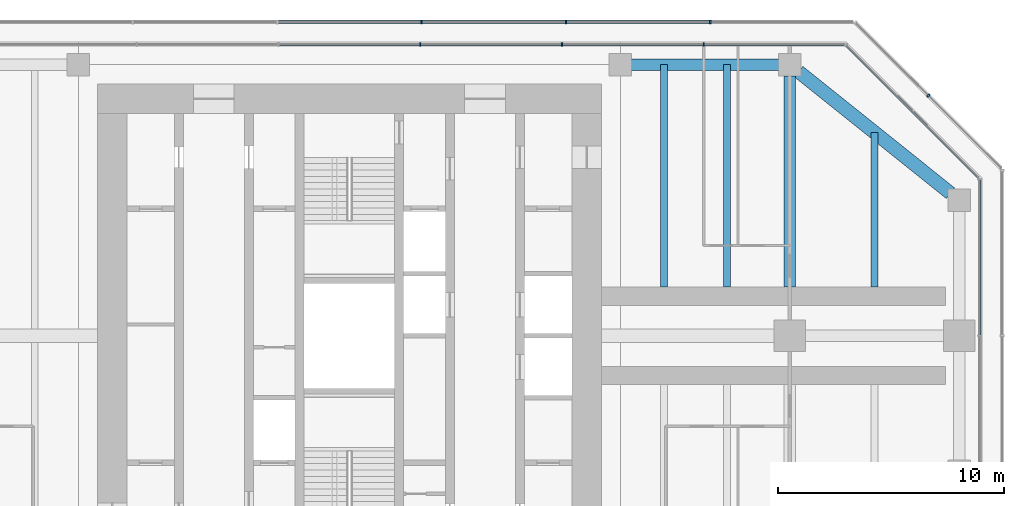
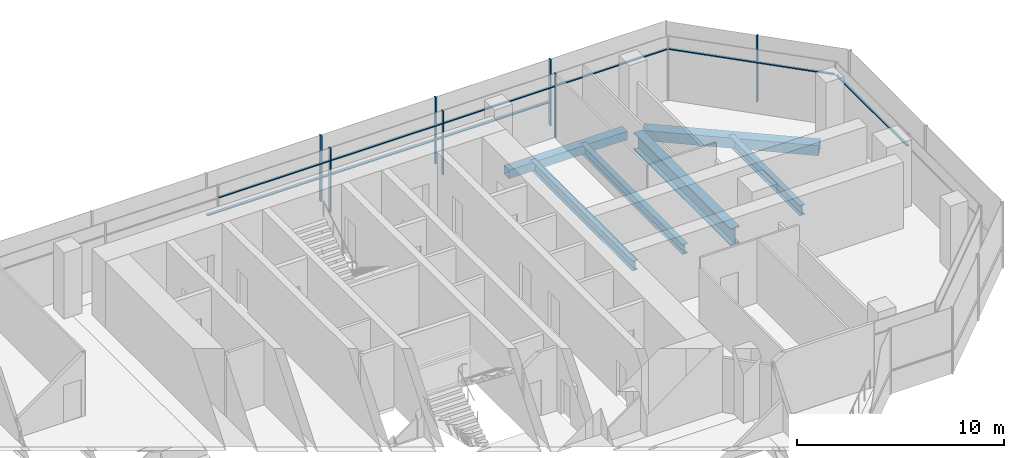
# One storey, part 7 of 16: 16 members, 6 beams, 5 elements without a shape of their own.
"""IFC4 building model written with IfcOpenShell, lengths in metres."""

from ifc_helpers import new_model, si_unit, direction, frame, origin, origin_2d, place, context, subcontext, project, spatial, rectangle, hollow_rectangle, i_section, extrude, material, material_profile, profile_set, type_object, element, aggregate, save


model = new_model("IFC4")

# Units and contexts
model_context = context("Model", 3, precision=1e-05, world=origin(), true_north=direction((0.0, 1.0)))
body_context = subcontext(model_context, "Body", "Model", "MODEL_VIEW")
ifc_project = project(units=[si_unit("LENGTHUNIT", "METRE"), si_unit("AREAUNIT", "SQUARE_METRE"), si_unit("VOLUMEUNIT", "CUBIC_METRE"), si_unit("PLANEANGLEUNIT", "RADIAN"), si_unit("MASSUNIT", "GRAM", prefix="KILO")], contexts=[model_context])

# Site, building, storey
site_placement = place(None, origin())
site = spatial("IfcSite", under=ifc_project, at=site_placement, CompositionType="ELEMENT")
building_placement = place(site_placement, origin())
building = spatial("IfcBuilding", under=site, at=building_placement, Name="Mizan Broadcast Tower", CompositionType="ELEMENT")
storey_placement = place(building_placement, frame((0.0, 0.0, 294.60009765625)))
storey = spatial("IfcBuildingStorey", under=building, at=storey_placement, Name="L70", CompositionType="ELEMENT", Elevation=294.60009765625)

# Beams
ifc_material_1 = material(Name="Steel S355", Category="steel")
ifc_material_profile_1 = material_profile(ifc_material_1, hollow_rectangle(XDim=0.5, YDim=0.5, WallThickness=0.030029296875, at=origin_2d()), Name="BOX 500x500x30")
ifc_profile_set_1 = profile_set([ifc_material_profile_1], Name="Steel S355")
beam_type_1 = type_object("IfcBeamType", Name="EDGE BEAM BOX 500x500x30", PredefinedType="SPANDREL", material=ifc_profile_set_1)
beam_1_placement = place(storey_placement, frame((12.449951171875, 12.0, -0.380126953125), z_axis=(1.0, 0.0, 0.0), x_axis=(0.0, 1.0, 0.0)))
element("IfcBeam", 1, at=beam_1_placement, inside=storey, type_object=beam_type_1, Name="Edge beam BOX 500x500x30 L70 east arm", PredefinedType="SPANDREL", context=body_context, shape_type="SweptSolid", body=[
    extrude(hollow_rectangle(XDim=0.5, YDim=0.5, WallThickness=0.030029296875, at=origin_2d()), origin(), (0.0, 0.0, 1.0), 6.60009765625),
])
ifc_material_2 = material(Name="Steel S355", Category="steel")
ifc_material_profile_2 = material_profile(ifc_material_2, hollow_rectangle(XDim=0.60009765625, YDim=0.60009765625, WallThickness=0.030029296875, at=origin_2d()), Name="BOX 600x600x30")
ifc_profile_set_2 = profile_set([ifc_material_profile_2], Name="Steel S355")
beam_type_2 = type_object("IfcBeamType", Name="EDGE BEAM BOX 600x600x30", PredefinedType="SPANDREL", material=ifc_profile_set_2)
beam_2_placement = place(storey_placement, frame((19.890380859375, 11.687744140625, -0.43017578125), z_axis=(0.780863273348, -0.62470196761, 0.0), x_axis=(0.62470196761, 0.780863273348, 0.0)))
element("IfcBeam", 2, at=beam_2_placement, inside=storey, type_object=beam_type_2, Name="Edge beam BOX 600x600x30 L70 east arm", PredefinedType="SPANDREL", context=body_context, shape_type="SweptSolid", body=[
    extrude(hollow_rectangle(XDim=0.60009765625, YDim=0.60009765625, WallThickness=0.030029296875, at=origin_2d()), origin(), (0.0, 0.0, 1.0), 8.60498046875),
])
ifc_material_3 = material(Name="Steel S460", Category="steel")
ifc_material_profile_3 = material_profile(ifc_material_3, i_section(OverallWidth=0.5, OverallDepth=1.0, WebThickness=0.02490234375, FlangeThickness=0.050048828125, at=origin_2d()), Name="WPG 1000x500")
ifc_profile_set_3 = profile_set([ifc_material_profile_3], Name="Steel S460")
beam_type_3 = type_object("IfcBeamType", Name="GIRDER WPG 1000x500", PredefinedType="BEAM", material=ifc_profile_set_3)
beam_3_placement = place(storey_placement, frame((19.5, 11.5, -0.630126953125), z_axis=(0.0, -1.0, 0.0), x_axis=(1.0, 0.0, 0.0)))
element("IfcBeam", 3, at=beam_3_placement, inside=storey, type_object=beam_type_3, Name="Girder WPG 1000x500 L70 east arm", PredefinedType="BEAM", context=body_context, shape_type="SweptSolid", body=[
    extrude(i_section(OverallWidth=0.5, OverallDepth=1.0, WebThickness=0.02490234375, FlangeThickness=0.050048828125, at=origin_2d()), origin(), (0.0, 0.0, 1.0), 9.35009765625),
])

# Curtain wall, members
ifc_material_4 = material(Name="Aluminium framed glazing", Category="aluminium")
curtain_wall_type_1 = type_object("IfcCurtainWallType", Name="INNER SKIN TOP ZONE", PredefinedType="USERDEFINED", material=ifc_material_4)
curtain_wall_1_placement = place(storey_placement, origin())
curtain_wall_1 = element("IfcCurtainWall", 4, at=curtain_wall_1_placement, inside=storey, type_object=curtain_wall_type_1, Name="Inner skin top zone L70 N end", ObjectType="INNER SKIN TOP ZONE", PredefinedType="USERDEFINED")
ifc_material_5 = material(Name="Aluminium, pale anodised", Category="aluminium")
ifc_material_profile_4 = material_profile(ifc_material_5, rectangle(XDim=0.159912109375, YDim=0.06005859375, at=origin_2d()), Name="MULLION 160x60")
ifc_profile_set_4 = profile_set([ifc_material_profile_4], Name="Aluminium, pale anodised")
member_type_1 = type_object("IfcMemberType", Name="INNER SKIN MULLION 60x160", PredefinedType="MULLION", material=ifc_profile_set_4)
member_1_placement = place(storey_placement, frame((15.684814453125, 12.89990234375, 0.0), z_axis=(0.0, 0.0, 1.0), x_axis=(0.0, -1.0, 0.0)))
member_1 = element("IfcMember", 5, at=member_1_placement, type_object=member_type_1, Name="Inner skin top zone L70 N end mullion 2", PredefinedType="MULLION", context=body_context, shape_type="SweptSolid", body=[
    extrude(rectangle(XDim=0.159912109375, YDim=0.06005859375, at=origin_2d()), origin(), (0.0, 0.0, 1.0), 3.77001953125),
])
member_2_placement = place(storey_placement, frame((9.410888671875, 12.89990234375, 0.0), z_axis=(0.0, 0.0, 1.0), x_axis=(0.0, -1.0, 0.0)))
member_2 = element("IfcMember", 6, at=member_2_placement, type_object=member_type_1, Name="Inner skin top zone L70 N end mullion 3", PredefinedType="MULLION", context=body_context, shape_type="SweptSolid", body=[
    extrude(rectangle(XDim=0.159912109375, YDim=0.06005859375, at=origin_2d()), origin(), (0.0, 0.0, 1.0), 3.77001953125),
])
member_3_placement = place(storey_placement, frame((3.136962890625, 12.89990234375, 0.0), z_axis=(0.0, 0.0, 1.0), x_axis=(0.0, -1.0, 0.0)))
member_3 = element("IfcMember", 7, at=member_3_placement, type_object=member_type_1, Name="Inner skin top zone L70 N end mullion 4", PredefinedType="MULLION", context=body_context, shape_type="SweptSolid", body=[
    extrude(rectangle(XDim=0.159912109375, YDim=0.06005859375, at=origin_2d()), origin(), (0.0, 0.0, 1.0), 3.77001953125),
])

# Curtain wall, member
curtain_wall_2_placement = place(storey_placement, origin())
curtain_wall_2 = element("IfcCurtainWall", 8, at=curtain_wall_2_placement, inside=storey, type_object=curtain_wall_type_1, Name="Inner skin top zone L70 E end", ObjectType="INNER SKIN TOP ZONE", PredefinedType="USERDEFINED")
ifc_material_6 = material(Name="Aluminium, pale anodised", Category="aluminium")
ifc_material_profile_5 = material_profile(ifc_material_6, rectangle(XDim=0.1201171875, YDim=0.06005859375, at=origin_2d()), Name="TRANSOM 120x60")
ifc_profile_set_5 = profile_set([ifc_material_profile_5], Name="Aluminium, pale anodised")
member_type_2 = type_object("IfcMemberType", Name="INNER SKIN TRANSOM 60x120", PredefinedType="USERDEFINED", material=ifc_profile_set_5)
member_4_placement = place(storey_placement, frame((27.89990234375, 0.030029296875, 3.02978515625), z_axis=(0.0, 1.0, 0.0), x_axis=(-1.0, 0.0, 0.0)))
member_4 = element("IfcMember", 9, at=member_4_placement, type_object=member_type_2, Name="Inner skin top zone L70 E end transom 2.1", ObjectType="TRANSOM", PredefinedType="USERDEFINED", context=body_context, shape_type="SweptSolid", body=[
    extrude(rectangle(XDim=0.1201171875, YDim=0.06005859375, at=origin_2d()), origin(), (0.0, 0.0, 1.0), 6.86865234375),
])
aggregate(curtain_wall_2, [member_4])

curtain_wall_3_placement = place(storey_placement, origin())
curtain_wall_3 = element("IfcCurtainWall", 10, at=curtain_wall_3_placement, inside=storey, type_object=curtain_wall_type_1, Name="Inner skin top zone L70 E chamfer", ObjectType="INNER SKIN TOP ZONE", PredefinedType="USERDEFINED")
member_5_placement = place(storey_placement, frame((27.857666015625, 7.0009765625, 3.02978515625), z_axis=(-0.707106781187, 0.707106781187, 0.0), x_axis=(-0.707106781187, -0.707106781187, 0.0)))
member_5 = element("IfcMember", 11, at=member_5_placement, type_object=member_type_2, Name="Inner skin top zone L70 E chamfer transom 1.1", ObjectType="TRANSOM", PredefinedType="USERDEFINED", context=body_context, shape_type="SweptSolid", body=[
    extrude(rectangle(XDim=0.1201171875, YDim=0.06005859375, at=origin_2d()), origin(), (0.0, 0.0, 1.0), 8.28271484375),
])
aggregate(curtain_wall_3, [member_5])

# Member
member_6_placement = place(storey_placement, frame((21.898681640625, 12.89990234375, 3.02978515625), z_axis=(-1.0, 0.0, 0.0), x_axis=(0.0, -1.0, 0.0)))
member_6 = element("IfcMember", 12, at=member_6_placement, type_object=member_type_2, Name="Inner skin top zone L70 N end transom 1.1", ObjectType="TRANSOM", PredefinedType="USERDEFINED", context=body_context, shape_type="SweptSolid", body=[
    extrude(rectangle(XDim=0.1201171875, YDim=0.06005859375, at=origin_2d()), origin(), (0.0, 0.0, 1.0), 6.18408203125),
])

member_7_placement = place(storey_placement, frame((15.65478515625, 12.89990234375, 3.02978515625), z_axis=(-1.0, 0.0, 0.0), x_axis=(0.0, -1.0, 0.0)))
member_7 = element("IfcMember", 13, at=member_7_placement, type_object=member_type_2, Name="Inner skin top zone L70 N end transom 2.1", ObjectType="TRANSOM", PredefinedType="USERDEFINED", context=body_context, shape_type="SweptSolid", body=[
    extrude(rectangle(XDim=0.1201171875, YDim=0.06005859375, at=origin_2d()), origin(), (0.0, 0.0, 1.0), 6.2138671875),
])

member_8_placement = place(storey_placement, frame((9.380859375, 12.89990234375, 3.02978515625), z_axis=(-1.0, 0.0, 0.0), x_axis=(0.0, -1.0, 0.0)))
member_8 = element("IfcMember", 14, at=member_8_placement, type_object=member_type_2, Name="Inner skin top zone L70 N end transom 3.1", ObjectType="TRANSOM", PredefinedType="USERDEFINED", context=body_context, shape_type="SweptSolid", body=[
    extrude(rectangle(XDim=0.1201171875, YDim=0.06005859375, at=origin_2d()), origin(), (0.0, 0.0, 1.0), 6.2138671875),
])

member_9_placement = place(storey_placement, frame((3.10693359375, 12.89990234375, 3.02978515625), z_axis=(-1.0, 0.0, 0.0), x_axis=(0.0, -1.0, 0.0)))
member_9 = element("IfcMember", 15, at=member_9_placement, type_object=member_type_2, Name="Inner skin top zone L70 N end transom 4.1", ObjectType="TRANSOM", PredefinedType="USERDEFINED", context=body_context, shape_type="SweptSolid", body=[
    extrude(rectangle(XDim=0.1201171875, YDim=0.06005859375, at=origin_2d()), origin(), (0.0, 0.0, 1.0), 6.2138671875),
])

aggregate(curtain_wall_1, [member_1, member_2, member_3, member_6, member_7, member_8, member_9])

# Curtain wall, member
ifc_material_7 = material(Name="Aluminium framed glazing", Category="aluminium")
curtain_wall_type_2 = type_object("IfcCurtainWallType", Name="OUTER SKIN", PredefinedType="USERDEFINED", material=ifc_material_7)
curtain_wall_4_placement = place(storey_placement, origin())
curtain_wall_4 = element("IfcCurtainWall", 16, at=curtain_wall_4_placement, inside=storey, type_object=curtain_wall_type_2, Name="Outer skin L70 E chamfer", ObjectType="OUTER SKIN", PredefinedType="USERDEFINED")
ifc_material_8 = material(Name="Aluminium, pale anodised", Category="aluminium")
ifc_material_profile_6 = material_profile(ifc_material_8, rectangle(XDim=0.159912109375, YDim=0.080078125, at=origin_2d()), Name="MULLION 160x80")
ifc_profile_set_6 = profile_set([ifc_material_profile_6], Name="Aluminium, pale anodised")
member_type_3 = type_object("IfcMemberType", Name="OUTER SKIN MULLION 80x160", PredefinedType="MULLION", material=ifc_profile_set_6)
member_10_placement = place(storey_placement, frame((25.636474609375, 10.636474609375, 0.0), z_axis=(0.0, 0.0, 1.0), x_axis=(-0.707106781187, -0.707106781187, 0.0)))
member_10 = element("IfcMember", 17, at=member_10_placement, type_object=member_type_3, Name="Outer skin L70 E chamfer mullion 2", PredefinedType="MULLION", context=body_context, shape_type="SweptSolid", body=[
    extrude(rectangle(XDim=0.159912109375, YDim=0.080078125, at=origin_2d()), origin(), (0.0, 0.0, 1.0), 3.89990234375),
])
aggregate(curtain_wall_4, [member_10])

# Curtain wall, members
curtain_wall_5_placement = place(storey_placement, origin())
curtain_wall_5 = element("IfcCurtainWall", 18, at=curtain_wall_5_placement, inside=storey, type_object=curtain_wall_type_2, Name="Outer skin L70 N end", ObjectType="OUTER SKIN", PredefinedType="USERDEFINED")
member_11_placement = place(storey_placement, frame((15.98046875, 13.89990234375, 0.0), z_axis=(0.0, 0.0, 1.0), x_axis=(0.0, -1.0, 0.0)))
member_11 = element("IfcMember", 19, at=member_11_placement, type_object=member_type_3, Name="Outer skin L70 N end mullion 2", PredefinedType="MULLION", context=body_context, shape_type="SweptSolid", body=[
    extrude(rectangle(XDim=0.159912109375, YDim=0.080078125, at=origin_2d()), origin(), (0.0, 0.0, 1.0), 3.89990234375),
])
member_12_placement = place(storey_placement, frame((9.58837890625, 13.89990234375, 0.0), z_axis=(0.0, 0.0, 1.0), x_axis=(0.0, -1.0, 0.0)))
member_12 = element("IfcMember", 20, at=member_12_placement, type_object=member_type_3, Name="Outer skin L70 N end mullion 3", PredefinedType="MULLION", context=body_context, shape_type="SweptSolid", body=[
    extrude(rectangle(XDim=0.159912109375, YDim=0.080078125, at=origin_2d()), origin(), (0.0, 0.0, 1.0), 3.89990234375),
])
member_13_placement = place(storey_placement, frame((3.196044921875, 13.89990234375, 0.0), z_axis=(0.0, 0.0, 1.0), x_axis=(0.0, -1.0, 0.0)))
member_13 = element("IfcMember", 21, at=member_13_placement, type_object=member_type_3, Name="Outer skin L70 N end mullion 4", PredefinedType="MULLION", context=body_context, shape_type="SweptSolid", body=[
    extrude(rectangle(XDim=0.159912109375, YDim=0.080078125, at=origin_2d()), origin(), (0.0, 0.0, 1.0), 3.89990234375),
])
ifc_material_9 = material(Name="Aluminium, pale anodised", Category="aluminium")
ifc_material_profile_7 = material_profile(ifc_material_9, rectangle(XDim=0.159912109375, YDim=0.06005859375, at=origin_2d()), Name="TRANSOM 160x60")
ifc_profile_set_7 = profile_set([ifc_material_profile_7], Name="Aluminium, pale anodised")
member_type_4 = type_object("IfcMemberType", Name="OUTER SKIN TRANSOM 60x160", PredefinedType="USERDEFINED", material=ifc_profile_set_7)
member_14_placement = place(storey_placement, frame((15.940673828125, 13.89990234375, 1.39990234375), z_axis=(-1.0, 0.0, 0.0), x_axis=(0.0, -1.0, 0.0)))
member_14 = element("IfcMember", 22, at=member_14_placement, type_object=member_type_4, Name="Outer skin L70 N end transom 2.1", ObjectType="TRANSOM", PredefinedType="USERDEFINED", context=body_context, shape_type="SweptSolid", body=[
    extrude(rectangle(XDim=0.159912109375, YDim=0.06005859375, at=origin_2d()), origin(), (0.0, 0.0, 1.0), 6.312255859375),
])
member_15_placement = place(storey_placement, frame((9.54833984375, 13.89990234375, 1.39990234375), z_axis=(-1.0, 0.0, 0.0), x_axis=(0.0, -1.0, 0.0)))
member_15 = element("IfcMember", 23, at=member_15_placement, type_object=member_type_4, Name="Outer skin L70 N end transom 3.1", ObjectType="TRANSOM", PredefinedType="USERDEFINED", context=body_context, shape_type="SweptSolid", body=[
    extrude(rectangle(XDim=0.159912109375, YDim=0.06005859375, at=origin_2d()), origin(), (0.0, 0.0, 1.0), 6.312255859375),
])
member_16_placement = place(storey_placement, frame((3.156005859375, 13.89990234375, 1.39990234375), z_axis=(-1.0, 0.0, 0.0), x_axis=(0.0, -1.0, 0.0)))
member_16 = element("IfcMember", 24, at=member_16_placement, type_object=member_type_4, Name="Outer skin L70 N end transom 4.1", ObjectType="TRANSOM", PredefinedType="USERDEFINED", context=body_context, shape_type="SweptSolid", body=[
    extrude(rectangle(XDim=0.159912109375, YDim=0.06005859375, at=origin_2d()), origin(), (0.0, 0.0, 1.0), 6.31201171875),
])
aggregate(curtain_wall_5, [member_11, member_12, member_13, member_14, member_15, member_16])

# Beams
ifc_material_10 = material(Name="Steel S355", Category="steel")
ifc_material_profile_8 = material_profile(ifc_material_10, i_section(OverallWidth=0.300048828125, OverallDepth=0.590087890625, WebThickness=0.012939453125, FlangeThickness=0.02490234375, FilletRadius=0.027099609375, at=origin_2d()), Name="HEA 600")
ifc_profile_set_8 = profile_set([ifc_material_profile_8], Name="Steel S355")
beam_type_4 = type_object("IfcBeamType", Name="SECONDARY BEAM HEA 600", PredefinedType="JOIST", material=ifc_profile_set_8)
for number, where, z_axis, x_axis, name in (
    (25, (13.933349609375, 12.0, -0.425048828125), (0.0, -1.0, 0.0), (1.0, 0.0, 0.0), "Secondary beam HEA 600 L70 east arm"),
    (26, (16.716552734375, 12.0, -0.425048828125), (0.0, -1.0, 0.0), (1.0, 0.0, 0.0), "Secondary beam HEA 600 L70 east arm"),
):
    element("IfcBeam", number, at=place(storey_placement, frame(where, z_axis=z_axis, x_axis=x_axis)), inside=storey, type_object=beam_type_4, Name=name, PredefinedType="JOIST", context=body_context, shape_type="SweptSolid", body=[
        extrude(i_section(OverallWidth=0.300048828125, OverallDepth=0.590087890625, WebThickness=0.012939453125, FlangeThickness=0.02490234375, FilletRadius=0.027099609375, at=origin_2d()), origin(), (0.0, 0.0, 1.0), 9.85009765625),
    ])
beam_4_placement = place(storey_placement, frame((23.25, 9.0, -0.425048828125), z_axis=(0.0, -1.0, 0.0), x_axis=(1.0, 0.0, 0.0)))
element("IfcBeam", 27, at=beam_4_placement, inside=storey, type_object=beam_type_4, Name="Secondary beam HEA 600 L70 east arm", PredefinedType="JOIST", context=body_context, shape_type="SweptSolid", body=[
    extrude(i_section(OverallWidth=0.300048828125, OverallDepth=0.590087890625, WebThickness=0.012939453125, FlangeThickness=0.02490234375, FilletRadius=0.027099609375, at=origin_2d()), origin(), (0.0, 0.0, 1.0), 6.85009765625),
])

save(model, "model.ifc")
